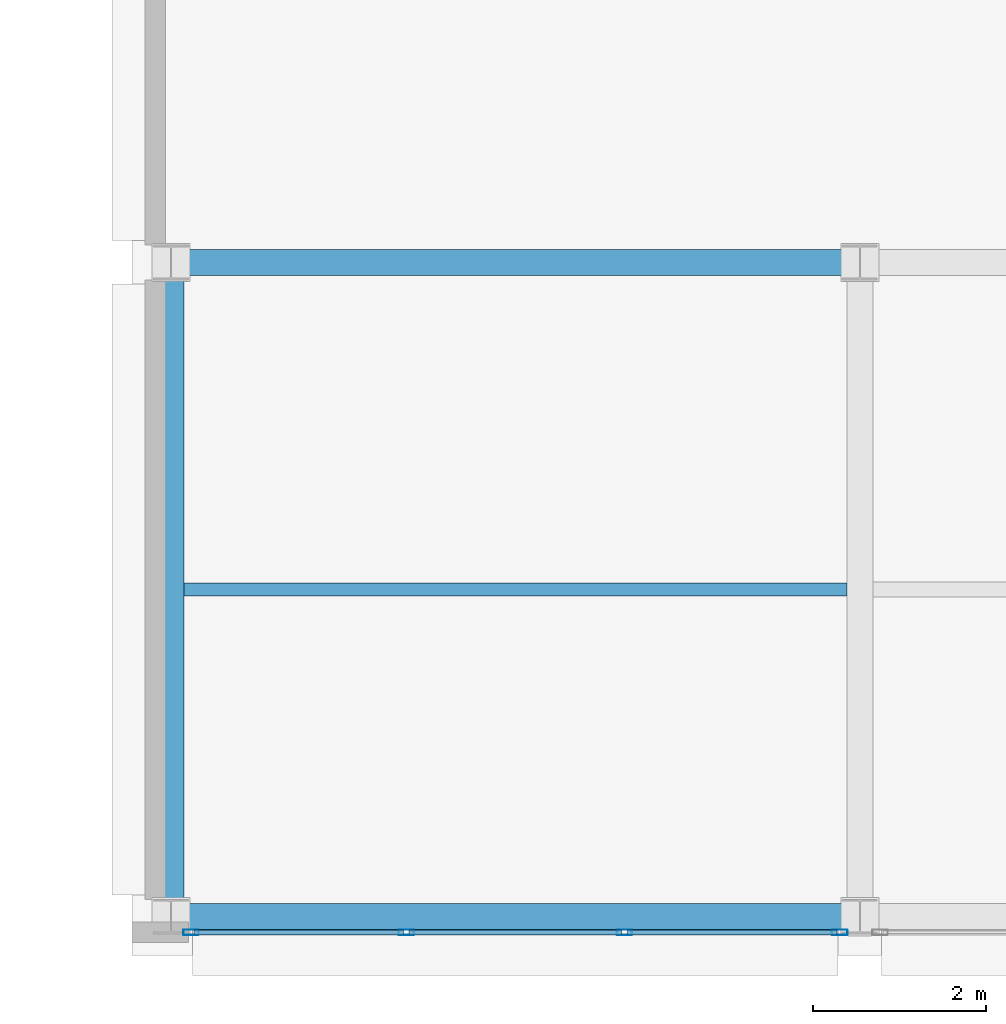
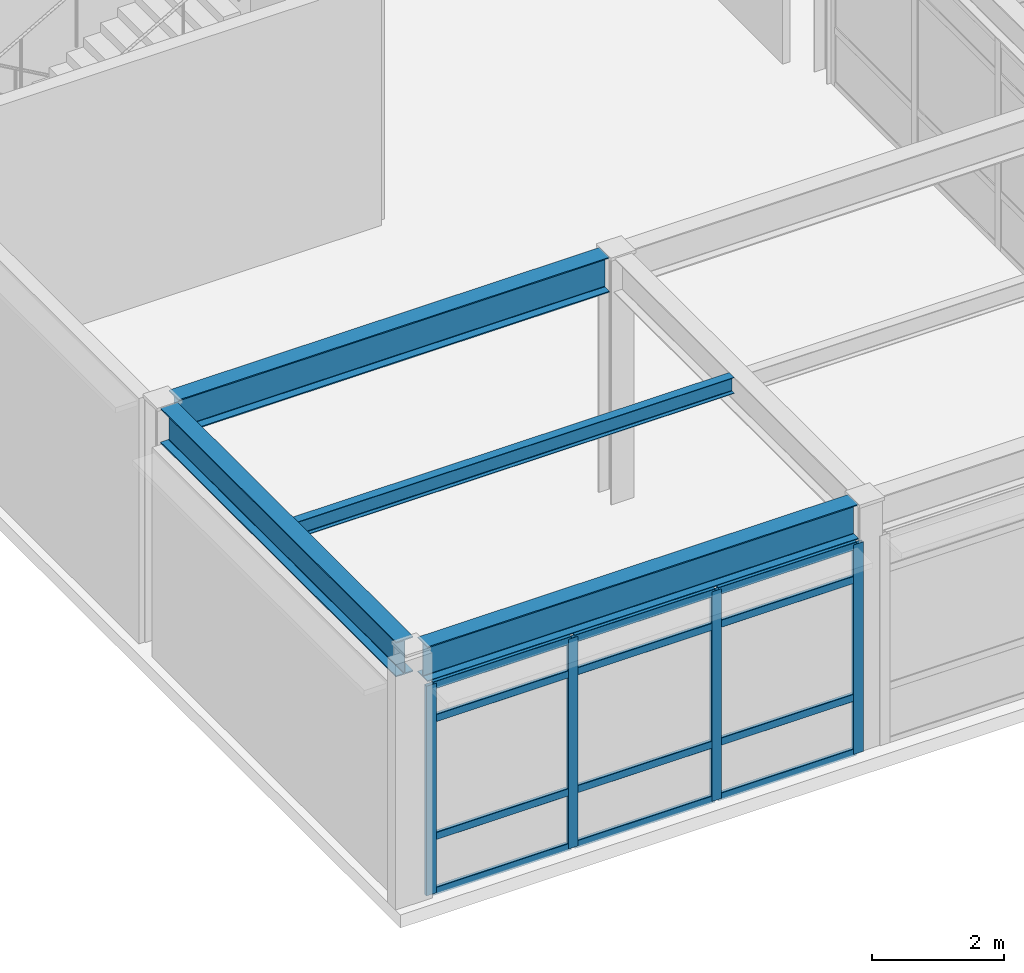
# One storey, part 16 of 93: 16 members, 4 beams, 1 element without a shape of its own.
"""IFC4 building model written with IfcOpenShell, lengths in metres."""

from ifc_helpers import new_model, si_unit, direction, frame, origin, origin_2d, place, context, subcontext, project, spatial, hollow_rectangle, i_section, extrude, material, layer, layer_set, material_profile, profile_set, type_object, element, aggregate, save


model = new_model("IFC4")

# Units and contexts
model_context = context("Model", 3, precision=1e-05, world=origin(), true_north=direction((0.0, 1.0)))
body_context = subcontext(model_context, "Body", "Model", "MODEL_VIEW")
ifc_project = project(units=[si_unit("LENGTHUNIT", "METRE"), si_unit("AREAUNIT", "SQUARE_METRE"), si_unit("VOLUMEUNIT", "CUBIC_METRE"), si_unit("PLANEANGLEUNIT", "RADIAN"), si_unit("MASSUNIT", "GRAM", prefix="KILO")], contexts=[model_context])

# Site, building, storey
site_placement = place(None, origin())
site = spatial("IfcSite", under=ifc_project, at=site_placement, CompositionType="ELEMENT")
building_placement = place(site_placement, origin())
building = spatial("IfcBuilding", under=site, at=building_placement, Name="Kazehara Bluff Congress Hotel", CompositionType="ELEMENT")
storey_placement = place(building_placement, frame((0.0, 0.0, 15.0)))
storey = spatial("IfcBuildingStorey", under=building, at=storey_placement, Name="L03", CompositionType="ELEMENT", Elevation=15.0)

# Curtain wall, members
ifc_material_1 = material(Name="Anodised aluminium", Category="aluminium")
ifc_layer = layer(ifc_material_1, 0.159912109375)
ifc_layer_set = layer_set([ifc_layer], Name="Anodised aluminium")
curtain_wall_type = type_object("IfcCurtainWallType", Name="TP-CW-21", PredefinedType="NOTDEFINED", material=ifc_layer_set)
curtain_wall_placement = place(storey_placement, origin())
curtain_wall = element("IfcCurtainWall", 1, at=curtain_wall_placement, inside=storey, type_object=curtain_wall_type, Name="L03 curtain wall CW-21 CW-ENC-V4-L03-6368-27", PredefinedType="NOTDEFINED")
ifc_material_2 = material(Name="Anodised aluminium", Category="aluminium")
ifc_material_profile_1 = material_profile(ifc_material_2, hollow_rectangle(XDim=0.06494140625, YDim=0.179931640625, WallThickness=0.00390625, InnerFilletRadius=0.00390625, OuterFilletRadius=0.008056640625, at=origin_2d()))
ifc_profile_set_1 = profile_set([ifc_material_profile_1], Name="Anodised aluminium")
member_type_1 = type_object("IfcMemberType", Name="TP-CWM-02", PredefinedType="MULLION", material=ifc_profile_set_1)
member_1_placement = place(storey_placement, frame((67.41748046875, 0.27001953125, 0.0), z_axis=(0.0, 0.0, 1.0), x_axis=(0.0, -1.0, 0.0)))
member_1 = element("IfcMember", 2, at=member_1_placement, type_object=member_type_1, Name="CW-21 mullion 1", PredefinedType="MULLION", context=body_context, shape_type="SweptSolid", body=[
    extrude(hollow_rectangle(XDim=0.06494140625, YDim=0.179931640625, WallThickness=0.00390625, InnerFilletRadius=0.00390625, OuterFilletRadius=0.008056640625, at=origin_2d()), origin(), (0.0, 0.0, 1.0), 3.885009765625),
])
member_2_placement = place(storey_placement, frame((64.933349609375, 0.27001953125, 0.0), z_axis=(0.0, 0.0, 1.0), x_axis=(0.0, -1.0, 0.0)))
member_2 = element("IfcMember", 3, at=member_2_placement, type_object=member_type_1, Name="CW-21 mullion 2", PredefinedType="MULLION", context=body_context, shape_type="SweptSolid", body=[
    extrude(hollow_rectangle(XDim=0.06494140625, YDim=0.179931640625, WallThickness=0.00390625, InnerFilletRadius=0.00390625, OuterFilletRadius=0.008056640625, at=origin_2d()), origin(), (0.0, 0.0, 1.0), 3.885009765625),
])
member_3_placement = place(storey_placement, frame((62.416748046875, 0.27001953125, 0.0), z_axis=(0.0, 0.0, 1.0), x_axis=(0.0, -1.0, 0.0)))
member_3 = element("IfcMember", 4, at=member_3_placement, type_object=member_type_1, Name="CW-21 mullion 3", PredefinedType="MULLION", context=body_context, shape_type="SweptSolid", body=[
    extrude(hollow_rectangle(XDim=0.06494140625, YDim=0.179931640625, WallThickness=0.00390625, InnerFilletRadius=0.00390625, OuterFilletRadius=0.008056640625, at=origin_2d()), origin(), (0.0, 0.0, 1.0), 3.885009765625),
])
member_4_placement = place(storey_placement, frame((59.9326171875, 0.27001953125, 0.0), z_axis=(0.0, 0.0, 1.0), x_axis=(0.0, -1.0, 0.0)))
member_4 = element("IfcMember", 5, at=member_4_placement, type_object=member_type_1, Name="CW-21 mullion 4", PredefinedType="MULLION", context=body_context, shape_type="SweptSolid", body=[
    extrude(hollow_rectangle(XDim=0.06494140625, YDim=0.179931640625, WallThickness=0.00390625, InnerFilletRadius=0.00390625, OuterFilletRadius=0.008056640625, at=origin_2d()), origin(), (0.0, 0.0, 1.0), 3.885009765625),
])
ifc_material_3 = material(Name="Anodised aluminium", Category="aluminium")
ifc_material_profile_2 = material_profile(ifc_material_3, hollow_rectangle(XDim=0.06494140625, YDim=0.139892578125, WallThickness=0.00390625, InnerFilletRadius=0.00390625, OuterFilletRadius=0.008056640625, at=origin_2d()))
ifc_profile_set_2 = profile_set([ifc_material_profile_2], Name="Anodised aluminium")
member_type_2 = type_object("IfcMemberType", Name="TP-CWT-02", PredefinedType="USERDEFINED", material=ifc_profile_set_2)
member_5_placement = place(storey_placement, frame((67.385009765625, 0.27001953125, 0.032470703125), z_axis=(-1.0, 0.0, 0.0), x_axis=(0.0, -1.0, 0.0)))
member_5 = element("IfcMember", 6, at=member_5_placement, type_object=member_type_2, Name="CW-21 transom 1.1", ObjectType="TRANSOM", PredefinedType="USERDEFINED", context=body_context, shape_type="SweptSolid", body=[
    extrude(hollow_rectangle(XDim=0.06494140625, YDim=0.139892578125, WallThickness=0.00390625, InnerFilletRadius=0.00390625, OuterFilletRadius=0.008056640625, at=origin_2d()), origin(), (0.0, 0.0, 1.0), 2.419189453125),
])
member_6_placement = place(storey_placement, frame((67.385009765625, 0.27001953125, 1.050048828125), z_axis=(-1.0, 0.0, 0.0), x_axis=(0.0, -1.0, 0.0)))
member_6 = element("IfcMember", 7, at=member_6_placement, type_object=member_type_2, Name="CW-21 transom 1.2", ObjectType="TRANSOM", PredefinedType="USERDEFINED", context=body_context, shape_type="SweptSolid", body=[
    extrude(hollow_rectangle(XDim=0.06494140625, YDim=0.139892578125, WallThickness=0.00390625, InnerFilletRadius=0.00390625, OuterFilletRadius=0.008056640625, at=origin_2d()), origin(), (0.0, 0.0, 1.0), 2.419189453125),
])
member_7_placement = place(storey_placement, frame((67.385009765625, 0.27001953125, 3.235107421875), z_axis=(-1.0, 0.0, 0.0), x_axis=(0.0, -1.0, 0.0)))
member_7 = element("IfcMember", 8, at=member_7_placement, type_object=member_type_2, Name="CW-21 transom 1.3", ObjectType="TRANSOM", PredefinedType="USERDEFINED", context=body_context, shape_type="SweptSolid", body=[
    extrude(hollow_rectangle(XDim=0.06494140625, YDim=0.139892578125, WallThickness=0.00390625, InnerFilletRadius=0.00390625, OuterFilletRadius=0.008056640625, at=origin_2d()), origin(), (0.0, 0.0, 1.0), 2.419189453125),
])
member_8_placement = place(storey_placement, frame((67.385009765625, 0.27001953125, 3.8525390625), z_axis=(-1.0, 0.0, 0.0), x_axis=(0.0, -1.0, 0.0)))
member_8 = element("IfcMember", 9, at=member_8_placement, type_object=member_type_2, Name="CW-21 transom 1.4", ObjectType="TRANSOM", PredefinedType="USERDEFINED", context=body_context, shape_type="SweptSolid", body=[
    extrude(hollow_rectangle(XDim=0.06494140625, YDim=0.139892578125, WallThickness=0.00390625, InnerFilletRadius=0.00390625, OuterFilletRadius=0.008056640625, at=origin_2d()), origin(), (0.0, 0.0, 1.0), 2.419189453125),
])
member_9_placement = place(storey_placement, frame((64.90087890625, 0.27001953125, 0.032470703125), z_axis=(-1.0, 0.0, 0.0), x_axis=(0.0, -1.0, 0.0)))
member_9 = element("IfcMember", 10, at=member_9_placement, type_object=member_type_2, Name="CW-21 transom 2.1", ObjectType="TRANSOM", PredefinedType="USERDEFINED", context=body_context, shape_type="SweptSolid", body=[
    extrude(hollow_rectangle(XDim=0.06494140625, YDim=0.139892578125, WallThickness=0.00390625, InnerFilletRadius=0.00390625, OuterFilletRadius=0.008056640625, at=origin_2d()), origin(), (0.0, 0.0, 1.0), 2.45166015625),
])
member_10_placement = place(storey_placement, frame((64.90087890625, 0.27001953125, 1.050048828125), z_axis=(-1.0, 0.0, 0.0), x_axis=(0.0, -1.0, 0.0)))
member_10 = element("IfcMember", 11, at=member_10_placement, type_object=member_type_2, Name="CW-21 transom 2.2", ObjectType="TRANSOM", PredefinedType="USERDEFINED", context=body_context, shape_type="SweptSolid", body=[
    extrude(hollow_rectangle(XDim=0.06494140625, YDim=0.139892578125, WallThickness=0.00390625, InnerFilletRadius=0.00390625, OuterFilletRadius=0.008056640625, at=origin_2d()), origin(), (0.0, 0.0, 1.0), 2.45166015625),
])
member_11_placement = place(storey_placement, frame((64.90087890625, 0.27001953125, 3.235107421875), z_axis=(-1.0, 0.0, 0.0), x_axis=(0.0, -1.0, 0.0)))
member_11 = element("IfcMember", 12, at=member_11_placement, type_object=member_type_2, Name="CW-21 transom 2.3", ObjectType="TRANSOM", PredefinedType="USERDEFINED", context=body_context, shape_type="SweptSolid", body=[
    extrude(hollow_rectangle(XDim=0.06494140625, YDim=0.139892578125, WallThickness=0.00390625, InnerFilletRadius=0.00390625, OuterFilletRadius=0.008056640625, at=origin_2d()), origin(), (0.0, 0.0, 1.0), 2.45166015625),
])
member_12_placement = place(storey_placement, frame((64.90087890625, 0.27001953125, 3.8525390625), z_axis=(-1.0, 0.0, 0.0), x_axis=(0.0, -1.0, 0.0)))
member_12 = element("IfcMember", 13, at=member_12_placement, type_object=member_type_2, Name="CW-21 transom 2.4", ObjectType="TRANSOM", PredefinedType="USERDEFINED", context=body_context, shape_type="SweptSolid", body=[
    extrude(hollow_rectangle(XDim=0.06494140625, YDim=0.139892578125, WallThickness=0.00390625, InnerFilletRadius=0.00390625, OuterFilletRadius=0.008056640625, at=origin_2d()), origin(), (0.0, 0.0, 1.0), 2.45166015625),
])
member_13_placement = place(storey_placement, frame((62.38427734375, 0.27001953125, 0.032470703125), z_axis=(-1.0, 0.0, 0.0), x_axis=(0.0, -1.0, 0.0)))
member_13 = element("IfcMember", 14, at=member_13_placement, type_object=member_type_2, Name="CW-21 transom 3.1", ObjectType="TRANSOM", PredefinedType="USERDEFINED", context=body_context, shape_type="SweptSolid", body=[
    extrude(hollow_rectangle(XDim=0.06494140625, YDim=0.139892578125, WallThickness=0.00390625, InnerFilletRadius=0.00390625, OuterFilletRadius=0.008056640625, at=origin_2d()), origin(), (0.0, 0.0, 1.0), 2.419189453125),
])
member_14_placement = place(storey_placement, frame((62.38427734375, 0.27001953125, 1.050048828125), z_axis=(-1.0, 0.0, 0.0), x_axis=(0.0, -1.0, 0.0)))
member_14 = element("IfcMember", 15, at=member_14_placement, type_object=member_type_2, Name="CW-21 transom 3.2", ObjectType="TRANSOM", PredefinedType="USERDEFINED", context=body_context, shape_type="SweptSolid", body=[
    extrude(hollow_rectangle(XDim=0.06494140625, YDim=0.139892578125, WallThickness=0.00390625, InnerFilletRadius=0.00390625, OuterFilletRadius=0.008056640625, at=origin_2d()), origin(), (0.0, 0.0, 1.0), 2.419189453125),
])
member_15_placement = place(storey_placement, frame((62.38427734375, 0.27001953125, 3.235107421875), z_axis=(-1.0, 0.0, 0.0), x_axis=(0.0, -1.0, 0.0)))
member_15 = element("IfcMember", 16, at=member_15_placement, type_object=member_type_2, Name="CW-21 transom 3.3", ObjectType="TRANSOM", PredefinedType="USERDEFINED", context=body_context, shape_type="SweptSolid", body=[
    extrude(hollow_rectangle(XDim=0.06494140625, YDim=0.139892578125, WallThickness=0.00390625, InnerFilletRadius=0.00390625, OuterFilletRadius=0.008056640625, at=origin_2d()), origin(), (0.0, 0.0, 1.0), 2.419189453125),
])
member_16_placement = place(storey_placement, frame((62.38427734375, 0.27001953125, 3.8525390625), z_axis=(-1.0, 0.0, 0.0), x_axis=(0.0, -1.0, 0.0)))
member_16 = element("IfcMember", 17, at=member_16_placement, type_object=member_type_2, Name="CW-21 transom 3.4", ObjectType="TRANSOM", PredefinedType="USERDEFINED", context=body_context, shape_type="SweptSolid", body=[
    extrude(hollow_rectangle(XDim=0.06494140625, YDim=0.139892578125, WallThickness=0.00390625, InnerFilletRadius=0.00390625, OuterFilletRadius=0.008056640625, at=origin_2d()), origin(), (0.0, 0.0, 1.0), 2.419189453125),
])
aggregate(curtain_wall, [member_1, member_2, member_3, member_4, member_5, member_6, member_7, member_8, member_9, member_10, member_11, member_12, member_13, member_14, member_15, member_16])

# Beams
ifc_material_4 = material(Name="Steel SN490B", Category="steel")
ifc_material_profile_3 = material_profile(ifc_material_4, i_section(OverallWidth=0.300048828125, OverallDepth=0.64990234375, WebThickness=0.011962890625, FlangeThickness=0.02001953125, FilletRadius=0.012939453125, at=origin_2d()))
ifc_profile_set_3 = profile_set([ifc_material_profile_3], Name="Steel SN490B")
beam_type_1 = type_object("IfcBeamType", Name="TP-G-03", PredefinedType="BEAM", material=ifc_profile_set_3)
beam_1_placement = place(storey_placement, frame((59.699951171875, 0.64990234375, 4.235107421875), z_axis=(0.0, 1.0, 0.0), x_axis=(-1.0, 0.0, 0.0)))
element("IfcBeam", 18, at=beam_1_placement, inside=storey, type_object=beam_type_1, Name="L03 girder G-03 41", PredefinedType="BEAM", context=body_context, shape_type="SweptSolid", body=[
    extrude(i_section(OverallWidth=0.300048828125, OverallDepth=0.64990234375, WebThickness=0.011962890625, FlangeThickness=0.02001953125, FilletRadius=0.012939453125, at=origin_2d()), origin(), (0.0, 0.0, 1.0), 7.150146484375),
])
for number, where, z_axis, x_axis, name in (
    (19, (59.89990234375, 0.449951171875, 4.235107421875), (1.0, 0.0, 0.0), (0.0, 1.0, 0.0), "L03 girder G-03 71"),
    (20, (59.89990234375, 8.0, 4.235107421875), (1.0, 0.0, 0.0), (0.0, 1.0, 0.0), "L03 girder G-03 73"),
):
    element("IfcBeam", number, at=place(storey_placement, frame(where, z_axis=z_axis, x_axis=x_axis)), inside=storey, type_object=beam_type_1, Name=name, PredefinedType="BEAM", context=body_context, shape_type="SweptSolid", body=[
        extrude(i_section(OverallWidth=0.300048828125, OverallDepth=0.64990234375, WebThickness=0.011962890625, FlangeThickness=0.02001953125, FilletRadius=0.012939453125, at=origin_2d()), origin(), (0.0, 0.0, 1.0), 7.550048828125),
    ])
ifc_material_5 = material(Name="Steel SN400B", Category="steel")
ifc_material_profile_4 = material_profile(ifc_material_5, i_section(OverallWidth=0.14990234375, OverallDepth=0.300048828125, WebThickness=0.006591796875, FlangeThickness=0.009033203125, FilletRadius=0.012939453125, at=origin_2d()))
ifc_profile_set_4 = profile_set([ifc_material_profile_4], Name="Steel SN400B")
beam_type_2 = type_object("IfcBeamType", Name="TP-J-01", PredefinedType="JOIST", material=ifc_profile_set_4)
beam_2_placement = place(storey_placement, frame((59.85009765625, 4.22509765625, 4.409912109375), z_axis=(1.0, 0.0, 0.0), x_axis=(0.0, 1.0, 0.0)))
element("IfcBeam", 21, at=beam_2_placement, inside=storey, type_object=beam_type_2, Name="L03 secondary joist J-01 1", PredefinedType="JOIST", context=body_context, shape_type="SweptSolid", body=[
    extrude(i_section(OverallWidth=0.14990234375, OverallDepth=0.300048828125, WebThickness=0.006591796875, FlangeThickness=0.009033203125, FilletRadius=0.012939453125, at=origin_2d()), origin(), (0.0, 0.0, 1.0), 7.64990234375),
])

save(model, "model.ifc")
